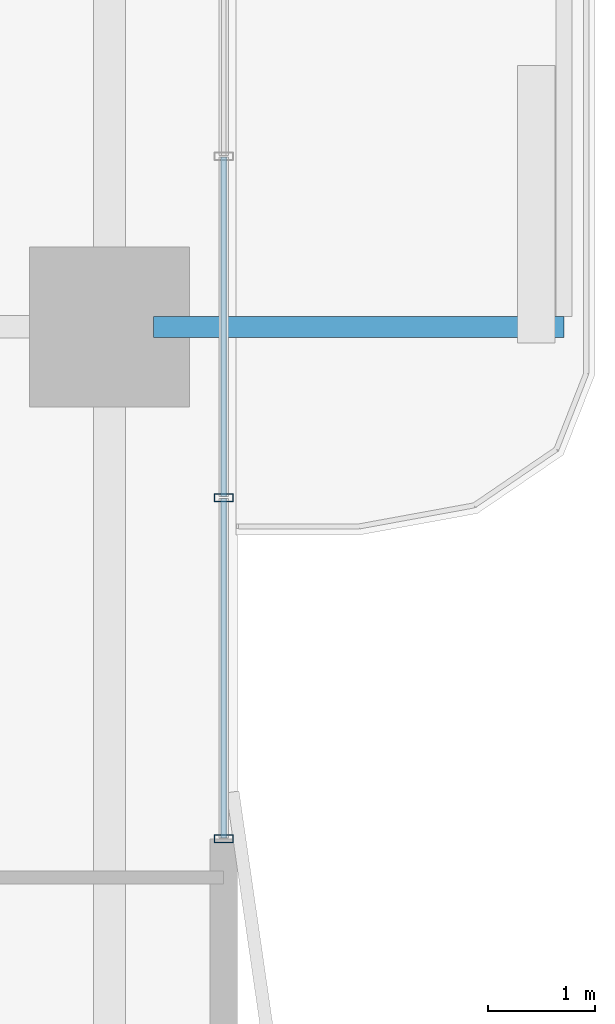
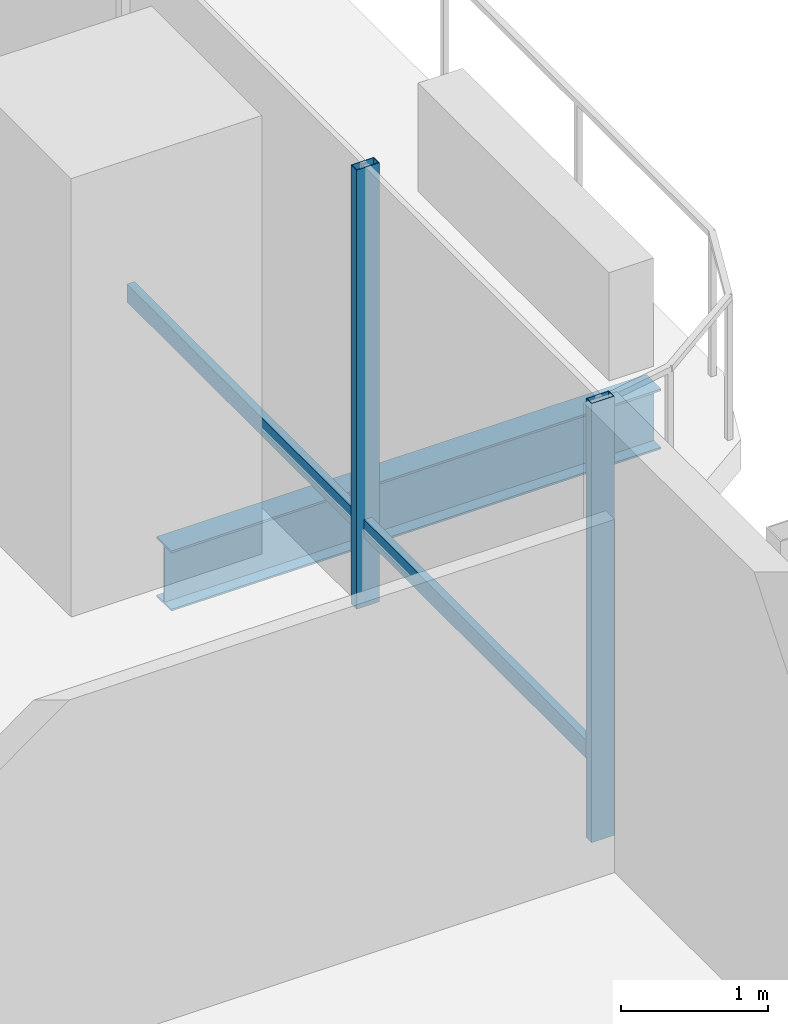
# One storey, part 8 of 24: 4 members, 1 beam, 1 element without a shape of its own.
"""IFC4 building model written with IfcOpenShell, lengths in metres."""

from ifc_helpers import new_model, si_unit, direction, frame, origin, origin_2d, place, context, subcontext, project, spatial, hollow_rectangle, i_section, extrude, material, layer, layer_set, material_profile, profile_set, type_object, element, aggregate, save


model = new_model("IFC4")

# Units and contexts
model_context = context("Model", 3, precision=1e-05, world=origin(), true_north=direction((0.0, 1.0)))
body_context = subcontext(model_context, "Body", "Model", "MODEL_VIEW")
ifc_project = project(units=[si_unit("LENGTHUNIT", "METRE"), si_unit("AREAUNIT", "SQUARE_METRE"), si_unit("VOLUMEUNIT", "CUBIC_METRE"), si_unit("PLANEANGLEUNIT", "RADIAN"), si_unit("MASSUNIT", "GRAM", prefix="KILO")], contexts=[model_context])

# Site, building, storey
site_placement = place(None, origin())
site = spatial("IfcSite", under=ifc_project, at=site_placement, CompositionType="ELEMENT")
building_placement = place(site_placement, origin())
building = spatial("IfcBuilding", under=site, at=building_placement, Name="Belovzor Exchange Tower", CompositionType="ELEMENT")
storey_placement = place(building_placement, frame((0.0, 0.0, 96.300048828125)))
storey = spatial("IfcBuildingStorey", under=building, at=storey_placement, Name="L23", CompositionType="ELEMENT", Elevation=96.300048828125)

# Beam
ifc_material_1 = material(Name="Steel S355", Category="steel")
ifc_material_profile_1 = material_profile(ifc_material_1, i_section(OverallWidth=0.199951171875, OverallDepth=0.5, WebThickness=0.01025390625, FlangeThickness=0.01611328125, at=origin_2d()))
ifc_profile_set_1 = profile_set([ifc_material_profile_1], Name="Steel S355")
beam_type = type_object("IfcBeamType", Name="Planted Balcony Cantilever Beam IPE 500", PredefinedType="BEAM", material=ifc_profile_set_1)
beam_placement = place(storey_placement, frame((55.9130859375, 28.800048828125, -0.5), z_axis=(1.0, 0.0, 0.0), x_axis=(0.0, 1.0, 0.0)))
element("IfcBeam", 1, at=beam_placement, inside=storey, type_object=beam_type, Name="BC-500 Planted Balcony Cantilever Beam IPE 500", PredefinedType="BEAM", context=body_context, shape_type="SweptSolid", body=[
    extrude(i_section(OverallWidth=0.199951171875, OverallDepth=0.5, WebThickness=0.01025390625, FlangeThickness=0.01611328125, at=origin_2d()), origin(), (0.0, 0.0, 1.0), 3.849853515625),
])

# Curtain wall, members
ifc_material_2 = material(Name="Anodised Aluminium Framing", Category="aluminium")
ifc_layer = layer(ifc_material_2, 0.179931640625)
ifc_layer_set = layer_set([ifc_layer], Name="Anodised Aluminium Framing")
curtain_wall_type = type_object("IfcCurtainWallType", Name="Recessed Loggia Low-Iron Triple-Glazed Curtain Wall", PredefinedType="NOTDEFINED", material=ifc_layer_set)
curtain_wall_placement = place(storey_placement, origin())
curtain_wall = element("IfcCurtainWall", 2, at=curtain_wall_placement, inside=storey, type_object=curtain_wall_type, Name="CW3 Recessed Loggia Low-Iron Triple-Glazed Curtain Wall L23", PredefinedType="NOTDEFINED")
ifc_material_3 = material(Name="Steel S355", Category="steel")
ifc_material_profile_2 = material_profile(ifc_material_3, hollow_rectangle(XDim=0.074951171875, YDim=0.179931640625, WallThickness=0.0048828125, at=origin_2d()))
ifc_profile_set_2 = profile_set([ifc_material_profile_2], Name="Steel S355")
member_type_1 = type_object("IfcMemberType", Name="Thermally Broken Curtain Wall Mullion 180x75", PredefinedType="MULLION", material=ifc_profile_set_2)
member_1_placement = place(storey_placement, frame((56.570068359375, 27.199951171875, 0.0), z_axis=(0.0, 0.0, 1.0), x_axis=(0.0, -1.0, 0.0)))
member_1 = element("IfcMember", 3, at=member_1_placement, type_object=member_type_1, Name="CW-M180 Curtain Wall Mullion 3", PredefinedType="MULLION", context=body_context, shape_type="SweptSolid", body=[
    extrude(hollow_rectangle(XDim=0.074951171875, YDim=0.179931640625, WallThickness=0.0048828125, at=origin_2d()), origin(), (0.0, 0.0, 1.0), 3.64990234375),
])
member_2_placement = place(storey_placement, frame((56.570068359375, 24.0, 0.0), z_axis=(0.0, 0.0, 1.0), x_axis=(0.0, -1.0, 0.0)))
member_2 = element("IfcMember", 4, at=member_2_placement, type_object=member_type_1, Name="CW-M180 Curtain Wall Mullion 4", PredefinedType="MULLION", context=body_context, shape_type="SweptSolid", body=[
    extrude(hollow_rectangle(XDim=0.074951171875, YDim=0.179931640625, WallThickness=0.0048828125, at=origin_2d()), origin(), (0.0, 0.0, 1.0), 3.64990234375),
])
ifc_material_4 = material(Name="Steel S355", Category="steel")
ifc_material_profile_3 = material_profile(ifc_material_4, hollow_rectangle(XDim=0.06005859375, YDim=0.14990234375, WallThickness=0.00390625, at=origin_2d()))
ifc_profile_set_3 = profile_set([ifc_material_profile_3], Name="Steel S355")
member_type_2 = type_object("IfcMemberType", Name="Thermally Broken Curtain Wall Transom 150x60", PredefinedType="USERDEFINED", material=ifc_profile_set_3)
member_3_placement = place(storey_placement, frame((56.570068359375, 30.39208984375, 0.64990234375), z_axis=(0.0, -1.0, 0.0), x_axis=(1.0, 0.0, 0.0)))
member_3 = element("IfcMember", 5, at=member_3_placement, type_object=member_type_2, Name="CW-T150 Curtain Wall Transom 2", ObjectType="TRANSOM", PredefinedType="USERDEFINED", context=body_context, shape_type="SweptSolid", body=[
    extrude(hollow_rectangle(XDim=0.06005859375, YDim=0.14990234375, WallThickness=0.00390625, at=origin_2d()), origin(), (0.0, 0.0, 1.0), 3.18408203125),
])
member_4_placement = place(storey_placement, frame((56.570068359375, 27.19189453125, 0.64990234375), z_axis=(0.0, -1.0, 0.0), x_axis=(1.0, 0.0, 0.0)))
member_4 = element("IfcMember", 6, at=member_4_placement, type_object=member_type_2, Name="CW-T150 Curtain Wall Transom 3", ObjectType="TRANSOM", PredefinedType="USERDEFINED", context=body_context, shape_type="SweptSolid", body=[
    extrude(hollow_rectangle(XDim=0.06005859375, YDim=0.14990234375, WallThickness=0.00390625, at=origin_2d()), origin(), (0.0, 0.0, 1.0), 3.183837890625),
])
aggregate(curtain_wall, [member_1, member_2, member_3, member_4])

save(model, "model.ifc")
